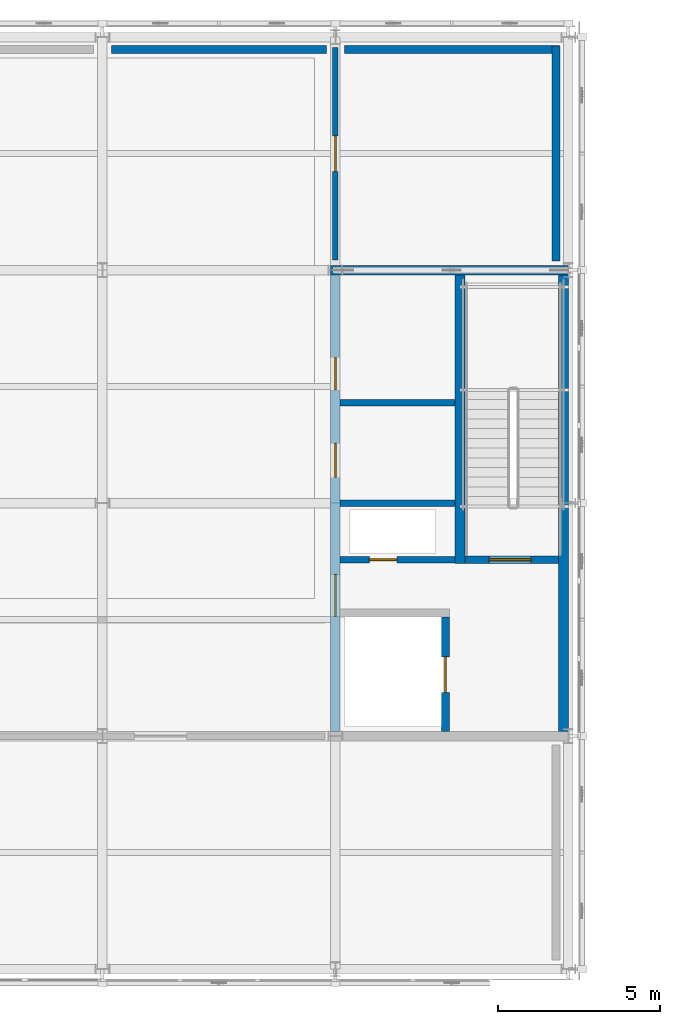
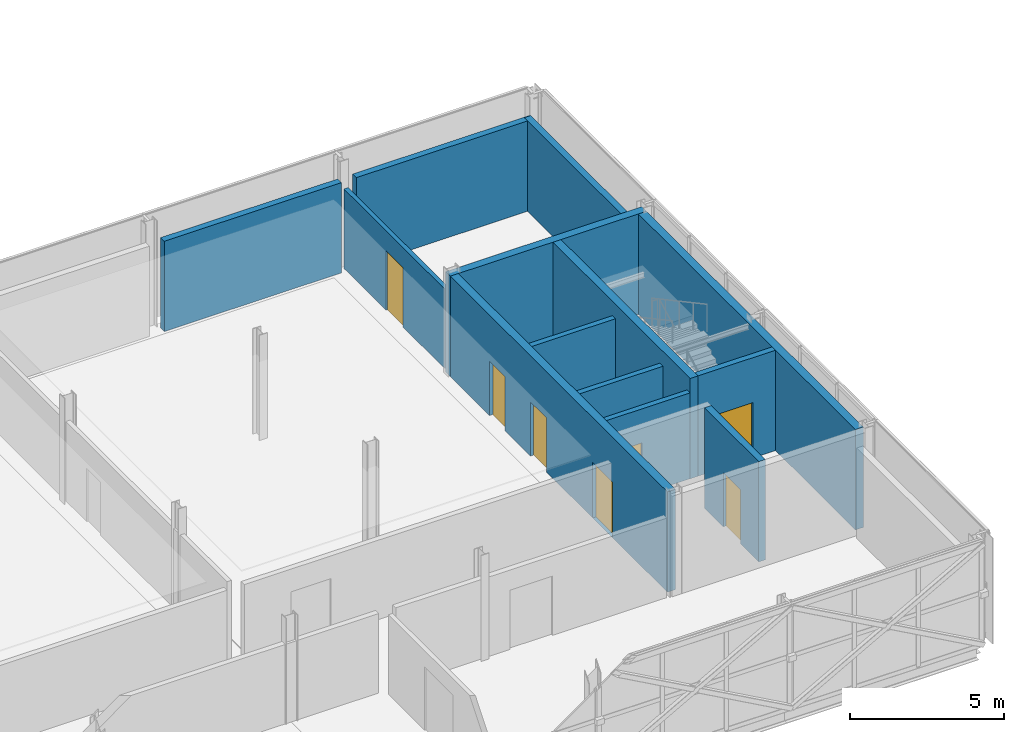
# One storey, part 124 of 146: 13 walls, 7 doors, 7 openings.
"""IFC4 building model written with IfcOpenShell, lengths in metres."""

from ifc_helpers import new_model, si_unit, direction, frame, frame_2d, origin, place, context, subcontext, project, spatial, rectangle, extrude, material, layer, layer_set, type_object, element, fill, save


model = new_model("IFC4")

# Units and contexts
model_context = context("Model", 3, precision=1e-05, world=origin(), true_north=direction((0.0, 1.0)))
body_context = subcontext(model_context, "Body", "Model", "MODEL_VIEW")
ifc_project = project(units=[si_unit("LENGTHUNIT", "METRE"), si_unit("AREAUNIT", "SQUARE_METRE"), si_unit("VOLUMEUNIT", "CUBIC_METRE"), si_unit("PLANEANGLEUNIT", "RADIAN"), si_unit("MASSUNIT", "GRAM", prefix="KILO")], contexts=[model_context])

# Site, building, storey
site_placement = place(None, origin())
site = spatial("IfcSite", under=ifc_project, at=site_placement, CompositionType="ELEMENT")
building_placement = place(site_placement, origin())
building = spatial("IfcBuilding", under=site, at=building_placement, Name="Zlatovets Crest Museum", CompositionType="ELEMENT")
storey_placement = place(building_placement, frame((0.0, 0.0, 4.5)))
storey = spatial("IfcBuildingStorey", under=building, at=storey_placement, Name="L01", CompositionType="ELEMENT", Elevation=4.5)

# Walls
ifc_material_1 = material(Name="Concrete C35/45", Category="concrete")
ifc_layer_1 = layer(ifc_material_1, 0.300048828125)
ifc_layer_set_1 = layer_set([ifc_layer_1], Name="Concrete C35/45")
wall_type_1 = type_object("IfcWallType", Name="CoreWall_SW01", PredefinedType="SHEAR", material=ifc_layer_set_1)
wall_1_placement = place(storey_placement, frame((100.64990234375, 108.0, 0.0), z_axis=(0.0, 0.0, 1.0), x_axis=(1.0, 0.0, 0.0)))
element("IfcWall", 1, at=wall_1_placement, inside=storey, type_object=wall_type_1, Name="Core C6 L01 North Shear Wall", PredefinedType="SHEAR", context=body_context, shape_type="SweptSolid", body=[
    extrude(rectangle(XDim=7.35009765625, YDim=0.300048828125, at=frame_2d((3.675048828125, 0.0))), origin(), (0.0, 0.0, 1.0), 3.97998046875),
])
wall_2_placement = place(storey_placement, frame((107.85009765625, 93.75, 0.0), z_axis=(0.0, 0.0, 1.0), x_axis=(0.0, 1.0, 0.0)))
element("IfcWall", 2, at=wall_2_placement, inside=storey, type_object=wall_type_1, Name="Core C6 L01 Perimeter Shear Wall", PredefinedType="SHEAR", context=body_context, shape_type="SweptSolid", body=[
    extrude(rectangle(XDim=14.10009765625, YDim=0.300048828125, at=frame_2d((7.050048828125, 0.0))), origin(), (0.0, 0.0, 1.0), 3.97998046875),
])

# Wall, openings, doors
wall_3_placement = place(storey_placement, frame((100.800048828125, 93.75, 0.0), z_axis=(0.0, 0.0, 1.0), x_axis=(0.0, 1.0, 0.0)))
wall_3 = element("IfcWall", 3, at=wall_3_placement, inside=storey, type_object=wall_type_1, Name="Core C6 L01 Spine Shear Wall", PredefinedType="SHEAR", context=body_context, shape_type="SweptSolid", body=[
    extrude(rectangle(XDim=14.10009765625, YDim=0.300048828125, at=frame_2d((7.050048828125, 0.0))), origin(), (0.0, 0.0, 1.0), 3.97998046875),
])
opening_1_placement = place(wall_3_placement, frame((3.550048828125, 0.0, 0.0)))
opening_1 = element("IfcOpeningElement", 4, at=opening_1_placement, cuts=wall_3, Name="Opening FD-01", PredefinedType="OPENING", context=body_context, shape_type="SweptSolid", body=[
    extrude(rectangle(XDim=1.300048828125, YDim=2.199951171875, at=frame_2d((0.64990234375, 1.10009765625))), frame((0.0, 0.16015625, 0.0), z_axis=(0.0, -1.0, 0.0), x_axis=(1.0, 0.0, 0.0)), (0.0, 0.0, 1.0), 0.320068359375),
])
opening_2_placement = place(wall_3_placement, frame((7.85009765625, 0.0, 0.0)))
opening_2 = element("IfcOpeningElement", 5, at=opening_2_placement, cuts=wall_3, Name="Opening ID-02", PredefinedType="OPENING", context=body_context, shape_type="SweptSolid", body=[
    extrude(rectangle(XDim=1.050048828125, YDim=2.14990234375, at=frame_2d((0.52490234375, 1.074951171875))), frame((0.0, 0.16015625, 0.0), z_axis=(0.0, -1.0, 0.0), x_axis=(1.0, 0.0, 0.0)), (0.0, 0.0, 1.0), 0.320068359375),
])
opening_3_placement = place(wall_3_placement, frame((10.550048828125, 0.0, 0.0)))
opening_3 = element("IfcOpeningElement", 6, at=opening_3_placement, cuts=wall_3, Name="Opening ID-01", PredefinedType="OPENING", context=body_context, shape_type="SweptSolid", body=[
    extrude(rectangle(XDim=1.0, YDim=2.14990234375, at=frame_2d((0.5, 1.074951171875))), frame((0.0, 0.16015625, 0.0), z_axis=(0.0, -1.0, 0.0), x_axis=(1.0, 0.0, 0.0)), (0.0, 0.0, 1.0), 0.320068359375),
])
ifc_material_2 = material(Name="Smoke-sealed steel fire door", Category="steel")
door_type_1 = type_object("IfcDoorType", Name="IntDoor_FD-01", OperationType="NOTDEFINED", PredefinedType="DOOR", material=ifc_material_2)
door_1_placement = place(opening_1_placement, origin())
door_1 = element("IfcDoor", 7, at=door_1_placement, inside=storey, type_object=door_type_1, Name="CDOOR-C6-L01-LOB Core C6 L01 Lobby Fire Door", OperationType="SINGLE_SWING_LEFT", OverallHeight=2.199951171875, OverallWidth=1.300048828125, PredefinedType="DOOR", context=body_context, shape_type="SweptSolid", body=[
    extrude(rectangle(XDim=1.300048828125, YDim=2.199951171875, at=frame_2d((0.64990234375, 1.10009765625))), frame((0.0, 0.02490234375, 0.0), z_axis=(0.0, -1.0, 0.0), x_axis=(1.0, 0.0, 0.0)), (0.0, 0.0, 1.0), 0.050048828125),
])
fill(opening_1, door_1)
ifc_material_3 = material(Name="Solid oak museum room door")
door_type_2 = type_object("IfcDoorType", Name="IntDoor_ID-01", OperationType="NOTDEFINED", PredefinedType="DOOR", material=ifc_material_3)
door_2_placement = place(opening_3_placement, origin())
door_2 = element("IfcDoor", 8, at=door_2_placement, inside=storey, type_object=door_type_2, Name="CDOOR-C6-L01-WC Core C6 L01 Public Restroom Door", OperationType="SINGLE_SWING_RIGHT", OverallHeight=2.14990234375, OverallWidth=1.0, PredefinedType="DOOR", context=body_context, shape_type="SweptSolid", body=[
    extrude(rectangle(XDim=1.0, YDim=2.14990234375, at=frame_2d((0.5, 1.074951171875))), frame((0.0, 0.02490234375, 0.0), z_axis=(0.0, -1.0, 0.0), x_axis=(1.0, 0.0, 0.0)), (0.0, 0.0, 1.0), 0.050048828125),
])
fill(opening_3, door_2)
ifc_material_4 = material(Name="Accessible sanitary room door")
door_type_3 = type_object("IfcDoorType", Name="IntDoor_ID-02", OperationType="NOTDEFINED", PredefinedType="DOOR", material=ifc_material_4)
door_3_placement = place(opening_2_placement, origin())
door_3 = element("IfcDoor", 9, at=door_3_placement, inside=storey, type_object=door_type_3, Name="CDOOR-C6-L01-AWC Core C6 L01 Accessible WC Door", OperationType="SINGLE_SWING_LEFT", OverallHeight=2.14990234375, OverallWidth=1.050048828125, PredefinedType="DOOR", context=body_context, shape_type="SweptSolid", body=[
    extrude(rectangle(XDim=1.050048828125, YDim=2.14990234375, at=frame_2d((0.52490234375, 1.074951171875))), frame((0.0, 0.02490234375, 0.0), z_axis=(0.0, -1.0, 0.0), x_axis=(1.0, 0.0, 0.0)), (0.0, 0.0, 1.0), 0.050048828125),
])
fill(opening_2, door_3)

# Wall
wall_4_placement = place(storey_placement, frame((104.64990234375, 98.93994140625, 0.0), z_axis=(0.0, 0.0, 1.0), x_axis=(0.0, 1.0, 0.0)))
element("IfcWall", 10, at=wall_4_placement, inside=storey, type_object=wall_type_1, Name="Core C6 L01 Stair Divider Wall", PredefinedType="SHEAR", context=body_context, shape_type="SweptSolid", body=[
    extrude(rectangle(XDim=8.91015625, YDim=0.300048828125, at=frame_2d((4.455078125, 0.0))), origin(), (0.0, 0.0, 1.0), 3.97998046875),
])

# Wall, opening, door
ifc_layer_2 = layer(ifc_material_1, 0.25)
ifc_layer_set_2 = layer_set([ifc_layer_2], Name="Concrete C35/45")
wall_type_2 = type_object("IfcWallType", Name="CoreWall_SW02", PredefinedType="SHEAR", material=ifc_layer_set_2)
wall_5_placement = place(storey_placement, frame((104.199951171875, 93.75, 0.0), z_axis=(0.0, 0.0, 1.0), x_axis=(0.0, 1.0, 0.0)))
wall_5 = element("IfcWall", 11, at=wall_5_placement, inside=storey, type_object=wall_type_2, Name="Core C6 L01 Lift Shaft Wall", PredefinedType="SHEAR", context=body_context, shape_type="SweptSolid", body=[
    extrude(rectangle(XDim=3.52490234375, YDim=0.25, at=frame_2d((1.762451171875, 0.0))), origin(), (0.0, 0.0, 1.0), 3.97998046875),
])
opening_4_placement = place(wall_5_placement, frame((1.199951171875, 0.0, 0.0)))
opening_4 = element("IfcOpeningElement", 12, at=opening_4_placement, cuts=wall_5, Name="Opening LD-01", PredefinedType="OPENING", context=body_context, shape_type="SweptSolid", body=[
    extrude(rectangle(XDim=1.10009765625, YDim=2.14990234375, at=frame_2d((0.550048828125, 1.074951171875))), frame((0.0, 0.135009765625, 0.0), z_axis=(0.0, -1.0, 0.0), x_axis=(1.0, 0.0, 0.0)), (0.0, 0.0, 1.0), 0.27001953125),
])
ifc_material_5 = material(Name="Stainless-bronze sliding lift landing door")
door_type_4 = type_object("IfcDoorType", Name="IntDoor_LD-01", OperationType="SLIDING_TO_LEFT", PredefinedType="DOOR", material=ifc_material_5)
door_4_placement = place(opening_4_placement, origin())
door_4 = element("IfcDoor", 13, at=door_4_placement, inside=storey, type_object=door_type_4, Name="LDOOR-FL2-L01 Lift FL2 L01 Sliding Landing Door", OperationType="SLIDING_TO_LEFT", OverallHeight=2.14990234375, OverallWidth=1.10009765625, PredefinedType="DOOR", context=body_context, shape_type="SweptSolid", body=[
    extrude(rectangle(XDim=1.10009765625, YDim=2.14990234375, at=frame_2d((0.550048828125, 1.074951171875))), frame((0.0, 0.02490234375, 0.0), z_axis=(0.0, -1.0, 0.0), x_axis=(1.0, 0.0, 0.0)), (0.0, 0.0, 1.0), 0.050048828125),
])
fill(opening_4, door_4)

wall_6_placement = place(storey_placement, frame((104.800048828125, 99.050048828125, 0.0), z_axis=(0.0, 0.0, 1.0), x_axis=(1.0, 0.0, 0.0)))
wall_6 = element("IfcWall", 14, at=wall_6_placement, inside=storey, type_object=wall_type_2, Name="Core C6 L01 Stairwell Fire Wall", PredefinedType="SHEAR", context=body_context, shape_type="SweptSolid", body=[
    extrude(rectangle(XDim=2.89990234375, YDim=0.219970703125, at=frame_2d((1.449951171875, 0.0))), origin(), (0.0, 0.0, 1.0), 3.97998046875),
])
opening_5_placement = place(wall_6_placement, frame((0.75, 0.0, 0.0)))
opening_5 = element("IfcOpeningElement", 15, at=opening_5_placement, cuts=wall_6, Name="Opening FD-01", PredefinedType="OPENING", context=body_context, shape_type="SweptSolid", body=[
    extrude(rectangle(XDim=1.300048828125, YDim=2.199951171875, at=frame_2d((0.64990234375, 1.10009765625))), frame((0.0, 0.1201171875, 0.0), z_axis=(0.0, -1.0, 0.0), x_axis=(1.0, 0.0, 0.0)), (0.0, 0.0, 1.0), 0.239990234375),
])
door_5_placement = place(opening_5_placement, origin())
door_5 = element("IfcDoor", 16, at=door_5_placement, inside=storey, type_object=door_type_1, Name="SDOOR-ST7-L01 Stair ST7 L01 Fire Door", OperationType="SINGLE_SWING_LEFT", OverallHeight=2.199951171875, OverallWidth=1.300048828125, PredefinedType="DOOR", context=body_context, shape_type="SweptSolid", body=[
    extrude(rectangle(XDim=1.300048828125, YDim=2.199951171875, at=frame_2d((0.64990234375, 1.10009765625))), frame((0.0, 0.02490234375, 0.0), z_axis=(0.0, -1.0, 0.0), x_axis=(1.0, 0.0, 0.0)), (0.0, 0.0, 1.0), 0.050048828125),
])
fill(opening_5, door_5)

# Walls
ifc_material_6 = material(Name="Insulated gallery conservation liner wall", Category="concrete")
ifc_layer_3 = layer(ifc_material_6, 0.300048828125)
ifc_layer_set_3 = layer_set([ifc_layer_3], Name="Insulated gallery conservation liner wall")
wall_type_3 = type_object("IfcWallType", Name="ExtWall_EW-02", PredefinedType="STANDARD", material=ifc_layer_set_3)
for number, where, z_axis, x_axis, name in (
    (17, (107.6201171875, 108.280029296875, 0.0), (0.0, 0.0, 1.0), (0.0, 1.0, 0.0), "V1 L01 Interior Conservation Gallery Liner Wall"),
    (18, (107.719970703125, 114.820068359375, 0.0), (0.0, 0.0, 1.0), (-1.0, 0.0, 0.0), "V1 L01 Interior Conservation Gallery Liner Wall"),
):
    element("IfcWall", number, at=place(storey_placement, frame(where, z_axis=z_axis, x_axis=x_axis)), inside=storey, type_object=wall_type_3, Name=name, PredefinedType="STANDARD", context=body_context, shape_type="SweptSolid", body=[
        extrude(rectangle(XDim=6.639892578125, YDim=0.239990234375, at=frame_2d((3.31982421875, 0.0))), origin(), (0.0, 0.0, 1.0), 3.580078125),
    ])
wall_7_placement = place(storey_placement, frame((100.52001953125, 114.820068359375, 0.0), z_axis=(0.0, 0.0, 1.0), x_axis=(-1.0, 0.0, 0.0)))
element("IfcWall", 19, at=wall_7_placement, inside=storey, type_object=wall_type_3, Name="V1 L01 Interior Conservation Gallery Liner Wall", PredefinedType="STANDARD", context=body_context, shape_type="SweptSolid", body=[
    extrude(rectangle(XDim=6.64013671875, YDim=0.239990234375, at=frame_2d((3.320068359375, 0.0))), origin(), (0.0, 0.0, 1.0), 3.580078125),
])

# Wall, opening, door
ifc_material_7 = material(Name="Acoustic museum gallery stud partition")
ifc_layer_4 = layer(ifc_material_7, 0.159912109375)
ifc_layer_set_4 = layer_set([ifc_layer_4], Name="Acoustic museum gallery stud partition")
wall_type_4 = type_object("IfcWallType", Name="PartWall_PT-02", PredefinedType="PARTITIONING", material=ifc_layer_set_4)
wall_8_placement = place(storey_placement, frame((100.800048828125, 108.320068359375, 0.0), z_axis=(0.0, 0.0, 1.0), x_axis=(0.0, 1.0, 0.0)))
wall_8 = element("IfcWall", 20, at=wall_8_placement, inside=storey, type_object=wall_type_4, Name="V1 L01 Interior Partition PT-02", PredefinedType="PARTITIONING", context=body_context, shape_type="SweptSolid", body=[
    extrude(rectangle(XDim=6.559814453125, YDim=0.159912109375, at=frame_2d((3.27978515625, 0.0))), origin(), (0.0, 0.0, 1.0), 3.14990234375),
])
opening_6_placement = place(wall_8_placement, frame((2.72998046875, 0.0, 0.0)))
opening_6 = element("IfcOpeningElement", 21, at=opening_6_placement, cuts=wall_8, Name="Opening ID-19", PredefinedType="OPENING", context=body_context, shape_type="SweptSolid", body=[
    extrude(rectangle(XDim=1.10009765625, YDim=2.35009765625, at=frame_2d((0.550048828125, 1.175048828125))), frame((0.0, 0.08984375, 0.0), z_axis=(0.0, -1.0, 0.0), x_axis=(1.0, 0.0, 0.0)), (0.0, 0.0, 1.0), 0.179931640625),
])
ifc_material_8 = material(Name="Library study glazed door")
door_type_5 = type_object("IfcDoorType", Name="IntDoor_ID-19", OperationType="NOTDEFINED", PredefinedType="DOOR", material=ifc_material_8)
door_6_placement = place(opening_6_placement, origin())
door_6 = element("IfcDoor", 22, at=door_6_placement, inside=storey, type_object=door_type_5, Name="IDOOR-V1-L01-0104 Secession Applied Arts Salon to Enamel Miniatures Cabinet Door", OperationType="SINGLE_SWING_LEFT", OverallHeight=2.35009765625, OverallWidth=1.10009765625, PredefinedType="DOOR", context=body_context, shape_type="SweptSolid", body=[
    extrude(rectangle(XDim=1.10009765625, YDim=2.35009765625, at=frame_2d((0.550048828125, 1.175048828125))), frame((0.0, 0.02490234375, 0.0), z_axis=(0.0, -1.0, 0.0), x_axis=(1.0, 0.0, 0.0)), (0.0, 0.0, 1.0), 0.050048828125),
])
fill(opening_6, door_6)

ifc_material_9 = material(Name="Sanitary core acoustic service wall")
ifc_layer_5 = layer(ifc_material_9, 0.219970703125)
ifc_layer_set_5 = layer_set([ifc_layer_5], Name="Sanitary core acoustic service wall")
wall_type_5 = type_object("IfcWallType", Name="PartWall_PT-04", PredefinedType="PLUMBINGWALL", material=ifc_layer_set_5)
wall_9_placement = place(storey_placement, frame((100.949951171875, 99.050048828125, 0.0), z_axis=(0.0, 0.0, 1.0), x_axis=(1.0, 0.0, 0.0)))
wall_9 = element("IfcWall", 23, at=wall_9_placement, inside=storey, type_object=wall_type_5, Name="Core C6 L01 Riser Lobby Wall", PredefinedType="PLUMBINGWALL", context=body_context, shape_type="SweptSolid", body=[
    extrude(rectangle(XDim=3.550048828125, YDim=0.199951171875, at=frame_2d((1.77490234375, 0.0))), origin(), (0.0, 0.0, 1.0), 3.39990234375),
])
opening_7_placement = place(wall_9_placement, frame((0.89990234375, 0.0, 0.0)))
opening_7 = element("IfcOpeningElement", 24, at=opening_7_placement, cuts=wall_9, Name="Opening FD-03", PredefinedType="OPENING", context=body_context, shape_type="SweptSolid", body=[
    extrude(rectangle(XDim=0.85009765625, YDim=2.050048828125, at=frame_2d((0.425048828125, 1.02490234375))), frame((0.0, 0.10986328125, 0.0), z_axis=(0.0, -1.0, 0.0), x_axis=(1.0, 0.0, 0.0)), (0.0, 0.0, 1.0), 0.219970703125),
])
ifc_material_10 = material(Name="Steel riser shaft access fire door", Category="steel")
door_type_6 = type_object("IfcDoorType", Name="IntDoor_FD-03", OperationType="NOTDEFINED", PredefinedType="TRAPDOOR", material=ifc_material_10)
door_7_placement = place(opening_7_placement, origin())
door_7 = element("IfcDoor", 25, at=door_7_placement, inside=storey, type_object=door_type_6, Name="CDOOR-C6-L01-RIS Core C6 L01 Riser Access Door", OperationType="SINGLE_SWING_RIGHT", OverallHeight=2.050048828125, OverallWidth=0.85009765625, PredefinedType="TRAPDOOR", context=body_context, shape_type="SweptSolid", body=[
    extrude(rectangle(XDim=0.85009765625, YDim=2.050048828125, at=frame_2d((0.425048828125, 1.02490234375))), frame((0.0, 0.02490234375, 0.0), z_axis=(0.0, -1.0, 0.0), x_axis=(1.0, 0.0, 0.0)), (0.0, 0.0, 1.0), 0.050048828125),
])
fill(opening_7, door_7)

# Walls
for number, where, z_axis, x_axis, name in (
    (26, (100.949951171875, 100.800048828125, 0.0), (0.0, 0.0, 1.0), (1.0, 0.0, 0.0), "Core C6 L01 Sanitary Divider"),
    (27, (100.949951171875, 103.89990234375, 0.0), (0.0, 0.0, 1.0), (1.0, 0.0, 0.0), "Core C6 L01 Sanitary Divider"),
):
    element("IfcWall", number, at=place(storey_placement, frame(where, z_axis=z_axis, x_axis=x_axis)), inside=storey, type_object=wall_type_5, Name=name, PredefinedType="PLUMBINGWALL", context=body_context, shape_type="SweptSolid", body=[
        extrude(rectangle(XDim=3.550048828125, YDim=0.199951171875, at=frame_2d((1.77490234375, 0.0))), origin(), (0.0, 0.0, 1.0), 3.39990234375),
    ])

save(model, "model.ifc")
